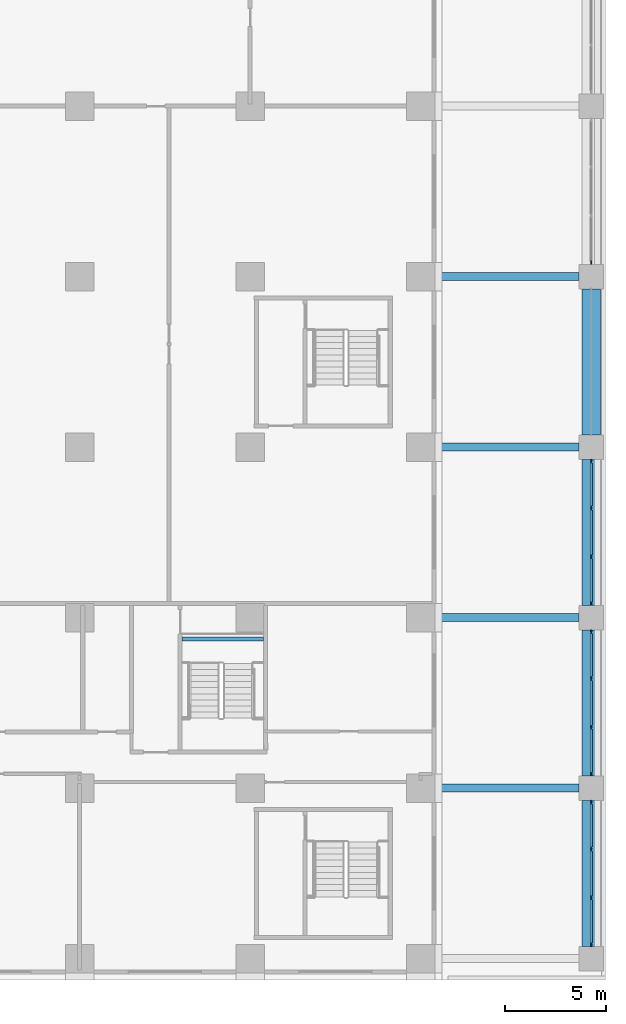
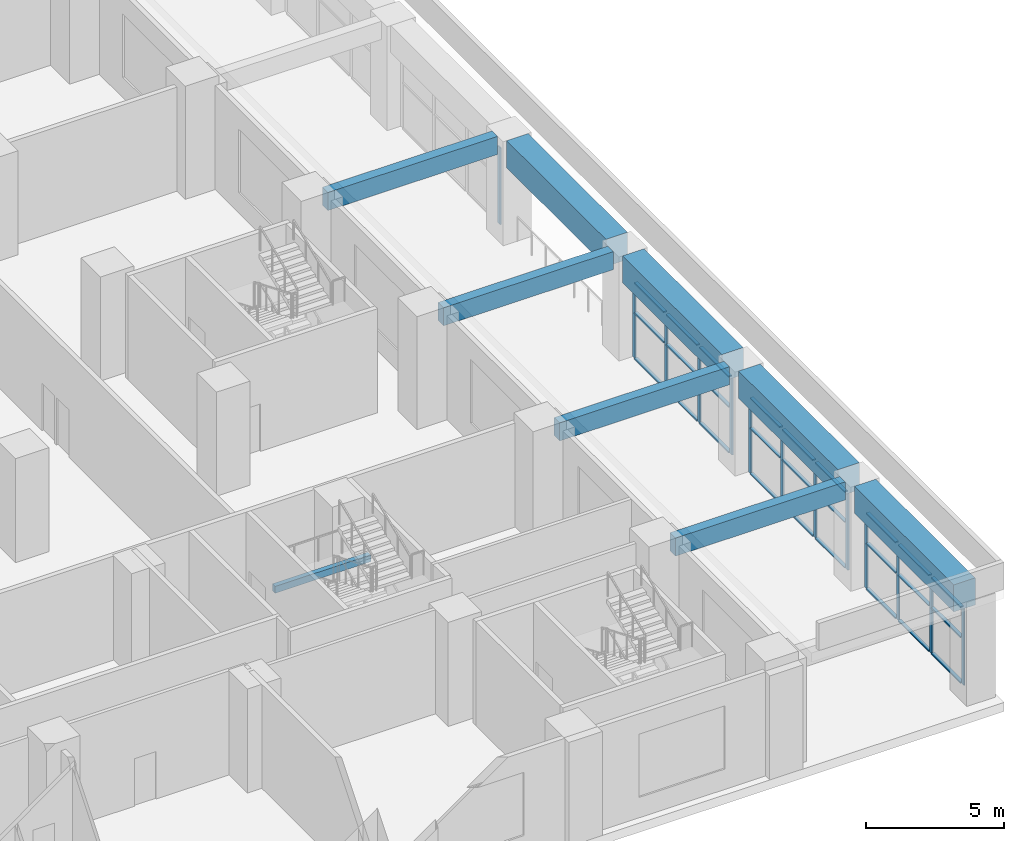
# One storey, part 2 of 29: 40 members, 9 beams, 4 elements without a shape of their own.
"""IFC4 building model written with IfcOpenShell, lengths in metres."""

from ifc_helpers import new_model, si_unit, direction, frame, origin, origin_2d, place, context, subcontext, project, spatial, rectangle, extrude, material, material_profile, profile_set, type_object, element, aggregate, save


model = new_model("IFC4")

# Units and contexts
model_context = context("Model", 3, precision=1e-05, world=origin(), true_north=direction((0.0, 1.0)))
body_context = subcontext(model_context, "Body", "Model", "MODEL_VIEW")
ifc_project = project(units=[si_unit("LENGTHUNIT", "METRE"), si_unit("AREAUNIT", "SQUARE_METRE"), si_unit("VOLUMEUNIT", "CUBIC_METRE"), si_unit("PLANEANGLEUNIT", "RADIAN"), si_unit("MASSUNIT", "GRAM", prefix="KILO")], contexts=[model_context])

# Site, building, storey
site_placement = place(None, origin())
site = spatial("IfcSite", under=ifc_project, at=site_placement, CompositionType="ELEMENT")
building_placement = place(site_placement, origin())
building = spatial("IfcBuilding", under=site, at=building_placement, Name="Vermilion Ogive Tower", CompositionType="ELEMENT")
storey_placement = place(building_placement, frame((0.0, 0.0, 7.5)))
storey = spatial("IfcBuildingStorey", under=building, at=storey_placement, Name="L01", CompositionType="ELEMENT", Elevation=7.5)

# Beams
ifc_material_1 = material(Name="Concrete B45", Category="concrete")
ifc_material_profile_1 = material_profile(ifc_material_1, rectangle(XDim=0.89990234375, YDim=1.199951171875, at=origin_2d()), Name="RC 900x1200")
ifc_profile_set_1 = profile_set([ifc_material_profile_1], Name="Concrete B45")
beam_type_1 = type_object("IfcBeamType", Name="Arcade edge beam AB1 900x1200", PredefinedType="BEAM", material=ifc_profile_set_1)
for number, where, z_axis, x_axis, name in (
    (1, (58.800048828125, -28.800048828125, 4.0), (0.0, 1.0, 0.0), (-1.0, 0.0, 0.0), "Arcade edge beam L01 01"),
    (2, (58.800048828125, -20.39990234375, 4.0), (0.0, 1.0, 0.0), (-1.0, 0.0, 0.0), "Arcade edge beam L01 02"),
    (3, (58.800048828125, -12.0, 4.0), (0.0, 1.0, 0.0), (-1.0, 0.0, 0.0), "Arcade edge beam L01 03"),
):
    element("IfcBeam", number, at=place(storey_placement, frame(where, z_axis=z_axis, x_axis=x_axis)), inside=storey, type_object=beam_type_1, Name=name, PredefinedType="BEAM", context=body_context, shape_type="SweptSolid", body=[
        extrude(rectangle(XDim=0.89990234375, YDim=1.199951171875, at=origin_2d()), origin(), (0.0, 0.0, 1.0), 7.199951171875),
    ])
beam_1_placement = place(storey_placement, frame((58.800048828125, -3.60009765625, 4.0), z_axis=(0.0, 1.0, 0.0), x_axis=(-1.0, 0.0, 0.0)))
element("IfcBeam", 4, at=beam_1_placement, inside=storey, type_object=beam_type_1, Name="Arcade edge beam L01 04", PredefinedType="BEAM", context=body_context, shape_type="SweptSolid", body=[
    extrude(rectangle(XDim=0.89990234375, YDim=1.199951171875, at=origin_2d()), origin(), (0.0, 0.0, 1.0), 7.2001953125),
])

# Curtain wall, members
ifc_material_2 = material(Name="Clear double glazing in aluminium frame", Category="aluminium")
curtain_wall_type = type_object("IfcCurtainWallType", Name="Curtain wall CW2", PredefinedType="NOTDEFINED", material=ifc_material_2)
curtain_wall_1_placement = place(storey_placement, origin())
curtain_wall_1 = element("IfcCurtainWall", 5, at=curtain_wall_1_placement, inside=storey, type_object=curtain_wall_type, Name="CW2 arcade glazing L01 1", PredefinedType="NOTDEFINED")
ifc_material_3 = material(Name="Aluminium mullion", Category="aluminium")
ifc_material_profile_2 = material_profile(ifc_material_3, rectangle(XDim=0.06005859375, YDim=0.179931640625, at=origin_2d()), Name="AL 60x180")
ifc_profile_set_2 = profile_set([ifc_material_profile_2], Name="Aluminium mullion")
member_type_1 = type_object("IfcMemberType", Name="CW2 mullion 60x180", PredefinedType="MULLION", material=ifc_profile_set_2)
member_1_placement = place(storey_placement, frame((58.800048828125, -28.7099609375, 0.0), z_axis=(0.0, 0.0, 1.0), x_axis=(-1.0, 0.0, 0.0)))
member_1 = element("IfcMember", 6, at=member_1_placement, type_object=member_type_1, Name="CW2-011 mullion 1", PredefinedType="MULLION", context=body_context, shape_type="SweptSolid", body=[
    extrude(rectangle(XDim=0.06005859375, YDim=0.179931640625, at=origin_2d()), origin(), (0.0, 0.0, 1.0), 3.39990234375),
])
member_2_placement = place(storey_placement, frame((58.800048828125, -26.39990234375, 0.0), z_axis=(0.0, 0.0, 1.0), x_axis=(-1.0, 0.0, 0.0)))
member_2 = element("IfcMember", 7, at=member_2_placement, type_object=member_type_1, Name="CW2-011 mullion 2", PredefinedType="MULLION", context=body_context, shape_type="SweptSolid", body=[
    extrude(rectangle(XDim=0.06005859375, YDim=0.179931640625, at=origin_2d()), origin(), (0.0, 0.0, 1.0), 3.39990234375),
])
member_3_placement = place(storey_placement, frame((58.800048828125, -24.0, 0.0), z_axis=(0.0, 0.0, 1.0), x_axis=(-1.0, 0.0, 0.0)))
member_3 = element("IfcMember", 8, at=member_3_placement, type_object=member_type_1, Name="CW2-011 mullion 3", PredefinedType="MULLION", context=body_context, shape_type="SweptSolid", body=[
    extrude(rectangle(XDim=0.06005859375, YDim=0.179931640625, at=origin_2d()), origin(), (0.0, 0.0, 1.0), 3.39990234375),
])
member_4_placement = place(storey_placement, frame((58.800048828125, -21.68994140625, 0.0), z_axis=(0.0, 0.0, 1.0), x_axis=(-1.0, 0.0, 0.0)))
member_4 = element("IfcMember", 9, at=member_4_placement, type_object=member_type_1, Name="CW2-011 mullion 4", PredefinedType="MULLION", context=body_context, shape_type="SweptSolid", body=[
    extrude(rectangle(XDim=0.06005859375, YDim=0.179931640625, at=origin_2d()), origin(), (0.0, 0.0, 1.0), 3.39990234375),
])

curtain_wall_2_placement = place(storey_placement, origin())
curtain_wall_2 = element("IfcCurtainWall", 10, at=curtain_wall_2_placement, inside=storey, type_object=curtain_wall_type, Name="CW2 arcade glazing L01 2", PredefinedType="NOTDEFINED")
member_5_placement = place(storey_placement, frame((58.800048828125, -20.31005859375, 0.0), z_axis=(0.0, 0.0, 1.0), x_axis=(-1.0, 0.0, 0.0)))
member_5 = element("IfcMember", 11, at=member_5_placement, type_object=member_type_1, Name="CW2-012 mullion 1", PredefinedType="MULLION", context=body_context, shape_type="SweptSolid", body=[
    extrude(rectangle(XDim=0.06005859375, YDim=0.179931640625, at=origin_2d()), origin(), (0.0, 0.0, 1.0), 3.39990234375),
])
member_6_placement = place(storey_placement, frame((58.800048828125, -18.0, 0.0), z_axis=(0.0, 0.0, 1.0), x_axis=(-1.0, 0.0, 0.0)))
member_6 = element("IfcMember", 12, at=member_6_placement, type_object=member_type_1, Name="CW2-012 mullion 2", PredefinedType="MULLION", context=body_context, shape_type="SweptSolid", body=[
    extrude(rectangle(XDim=0.06005859375, YDim=0.179931640625, at=origin_2d()), origin(), (0.0, 0.0, 1.0), 3.39990234375),
])
member_7_placement = place(storey_placement, frame((58.800048828125, -15.60009765625, 0.0), z_axis=(0.0, 0.0, 1.0), x_axis=(-1.0, 0.0, 0.0)))
member_7 = element("IfcMember", 13, at=member_7_placement, type_object=member_type_1, Name="CW2-012 mullion 3", PredefinedType="MULLION", context=body_context, shape_type="SweptSolid", body=[
    extrude(rectangle(XDim=0.06005859375, YDim=0.179931640625, at=origin_2d()), origin(), (0.0, 0.0, 1.0), 3.39990234375),
])
member_8_placement = place(storey_placement, frame((58.800048828125, -13.2900390625, 0.0), z_axis=(0.0, 0.0, 1.0), x_axis=(-1.0, 0.0, 0.0)))
member_8 = element("IfcMember", 14, at=member_8_placement, type_object=member_type_1, Name="CW2-012 mullion 4", PredefinedType="MULLION", context=body_context, shape_type="SweptSolid", body=[
    extrude(rectangle(XDim=0.06005859375, YDim=0.179931640625, at=origin_2d()), origin(), (0.0, 0.0, 1.0), 3.39990234375),
])

curtain_wall_3_placement = place(storey_placement, origin())
curtain_wall_3 = element("IfcCurtainWall", 15, at=curtain_wall_3_placement, inside=storey, type_object=curtain_wall_type, Name="CW2 arcade glazing L01 3", PredefinedType="NOTDEFINED")
member_9_placement = place(storey_placement, frame((58.800048828125, -11.909912109375, 0.0), z_axis=(0.0, 0.0, 1.0), x_axis=(-1.0, 0.0, 0.0)))
member_9 = element("IfcMember", 16, at=member_9_placement, type_object=member_type_1, Name="CW2-013 mullion 1", PredefinedType="MULLION", context=body_context, shape_type="SweptSolid", body=[
    extrude(rectangle(XDim=0.06005859375, YDim=0.179931640625, at=origin_2d()), origin(), (0.0, 0.0, 1.0), 3.39990234375),
])
member_10_placement = place(storey_placement, frame((58.800048828125, -9.60009765625, 0.0), z_axis=(0.0, 0.0, 1.0), x_axis=(-1.0, 0.0, 0.0)))
member_10 = element("IfcMember", 17, at=member_10_placement, type_object=member_type_1, Name="CW2-013 mullion 2", PredefinedType="MULLION", context=body_context, shape_type="SweptSolid", body=[
    extrude(rectangle(XDim=0.06005859375, YDim=0.179931640625, at=origin_2d()), origin(), (0.0, 0.0, 1.0), 3.39990234375),
])
member_11_placement = place(storey_placement, frame((58.800048828125, -7.199951171875, 0.0), z_axis=(0.0, 0.0, 1.0), x_axis=(-1.0, 0.0, 0.0)))
member_11 = element("IfcMember", 18, at=member_11_placement, type_object=member_type_1, Name="CW2-013 mullion 3", PredefinedType="MULLION", context=body_context, shape_type="SweptSolid", body=[
    extrude(rectangle(XDim=0.06005859375, YDim=0.179931640625, at=origin_2d()), origin(), (0.0, 0.0, 1.0), 3.39990234375),
])
member_12_placement = place(storey_placement, frame((58.800048828125, -4.889892578125, 0.0), z_axis=(0.0, 0.0, 1.0), x_axis=(-1.0, 0.0, 0.0)))
member_12 = element("IfcMember", 19, at=member_12_placement, type_object=member_type_1, Name="CW2-013 mullion 4", PredefinedType="MULLION", context=body_context, shape_type="SweptSolid", body=[
    extrude(rectangle(XDim=0.06005859375, YDim=0.179931640625, at=origin_2d()), origin(), (0.0, 0.0, 1.0), 3.39990234375),
])

# Curtain wall, member
curtain_wall_4_placement = place(storey_placement, origin())
curtain_wall_4 = element("IfcCurtainWall", 20, at=curtain_wall_4_placement, inside=storey, type_object=curtain_wall_type, Name="CW2 arcade glazing L01 5", PredefinedType="NOTDEFINED")
member_13_placement = place(storey_placement, frame((58.800048828125, 4.889892578125, 0.0), z_axis=(0.0, 0.0, 1.0), x_axis=(-1.0, 0.0, 0.0)))
member_13 = element("IfcMember", 21, at=member_13_placement, type_object=member_type_1, Name="CW2-015 mullion 1", PredefinedType="MULLION", context=body_context, shape_type="SweptSolid", body=[
    extrude(rectangle(XDim=0.06005859375, YDim=0.179931640625, at=origin_2d()), origin(), (0.0, 0.0, 1.0), 3.39990234375),
])
aggregate(curtain_wall_4, [member_13])

# Member
ifc_material_4 = material(Name="Aluminium transom", Category="aluminium")
ifc_material_profile_3 = material_profile(ifc_material_4, rectangle(XDim=0.139892578125, YDim=0.06005859375, at=origin_2d()), Name="AL 60x140")
ifc_profile_set_3 = profile_set([ifc_material_profile_3], Name="Aluminium transom")
member_type_2 = type_object("IfcMemberType", Name="CW2 transom 60x140", PredefinedType="USERDEFINED", material=ifc_profile_set_3)
member_14_placement = place(storey_placement, frame((58.800048828125, -28.6201171875, 0.030029296875), z_axis=(0.0, 1.0, 0.0), x_axis=(-1.0, 0.0, 0.0)))
member_14 = element("IfcMember", 22, at=member_14_placement, type_object=member_type_2, Name="CW2-011 transom 1.1", ObjectType="TRANSOM", PredefinedType="USERDEFINED", context=body_context, shape_type="SweptSolid", body=[
    extrude(rectangle(XDim=0.139892578125, YDim=0.06005859375, at=origin_2d()), origin(), (0.0, 0.0, 1.0), 2.130126953125),
])

member_15_placement = place(storey_placement, frame((58.800048828125, -28.6201171875, 2.0400390625), z_axis=(0.0, 1.0, 0.0), x_axis=(-1.0, 0.0, 0.0)))
member_15 = element("IfcMember", 23, at=member_15_placement, type_object=member_type_2, Name="CW2-011 transom 1.2", ObjectType="TRANSOM", PredefinedType="USERDEFINED", context=body_context, shape_type="SweptSolid", body=[
    extrude(rectangle(XDim=0.139892578125, YDim=0.06005859375, at=origin_2d()), origin(), (0.0, 0.0, 1.0), 2.130126953125),
])

member_16_placement = place(storey_placement, frame((58.800048828125, -28.6201171875, 3.3701171875), z_axis=(0.0, 1.0, 0.0), x_axis=(-1.0, 0.0, 0.0)))
member_16 = element("IfcMember", 24, at=member_16_placement, type_object=member_type_2, Name="CW2-011 transom 1.3", ObjectType="TRANSOM", PredefinedType="USERDEFINED", context=body_context, shape_type="SweptSolid", body=[
    extrude(rectangle(XDim=0.139892578125, YDim=0.06005859375, at=origin_2d()), origin(), (0.0, 0.0, 1.0), 2.130126953125),
])

member_17_placement = place(storey_placement, frame((58.800048828125, -26.31005859375, 0.030029296875), z_axis=(0.0, 1.0, 0.0), x_axis=(-1.0, 0.0, 0.0)))
member_17 = element("IfcMember", 25, at=member_17_placement, type_object=member_type_2, Name="CW2-011 transom 2.1", ObjectType="TRANSOM", PredefinedType="USERDEFINED", context=body_context, shape_type="SweptSolid", body=[
    extrude(rectangle(XDim=0.139892578125, YDim=0.06005859375, at=origin_2d()), origin(), (0.0, 0.0, 1.0), 2.219970703125),
])

member_18_placement = place(storey_placement, frame((58.800048828125, -26.31005859375, 2.0400390625), z_axis=(0.0, 1.0, 0.0), x_axis=(-1.0, 0.0, 0.0)))
member_18 = element("IfcMember", 26, at=member_18_placement, type_object=member_type_2, Name="CW2-011 transom 2.2", ObjectType="TRANSOM", PredefinedType="USERDEFINED", context=body_context, shape_type="SweptSolid", body=[
    extrude(rectangle(XDim=0.139892578125, YDim=0.06005859375, at=origin_2d()), origin(), (0.0, 0.0, 1.0), 2.219970703125),
])

member_19_placement = place(storey_placement, frame((58.800048828125, -26.31005859375, 3.3701171875), z_axis=(0.0, 1.0, 0.0), x_axis=(-1.0, 0.0, 0.0)))
member_19 = element("IfcMember", 27, at=member_19_placement, type_object=member_type_2, Name="CW2-011 transom 2.3", ObjectType="TRANSOM", PredefinedType="USERDEFINED", context=body_context, shape_type="SweptSolid", body=[
    extrude(rectangle(XDim=0.139892578125, YDim=0.06005859375, at=origin_2d()), origin(), (0.0, 0.0, 1.0), 2.219970703125),
])

member_20_placement = place(storey_placement, frame((58.800048828125, -23.909912109375, 0.030029296875), z_axis=(0.0, 1.0, 0.0), x_axis=(-1.0, 0.0, 0.0)))
member_20 = element("IfcMember", 28, at=member_20_placement, type_object=member_type_2, Name="CW2-011 transom 3.1", ObjectType="TRANSOM", PredefinedType="USERDEFINED", context=body_context, shape_type="SweptSolid", body=[
    extrude(rectangle(XDim=0.139892578125, YDim=0.06005859375, at=origin_2d()), origin(), (0.0, 0.0, 1.0), 2.1298828125),
])

member_21_placement = place(storey_placement, frame((58.800048828125, -23.909912109375, 2.0400390625), z_axis=(0.0, 1.0, 0.0), x_axis=(-1.0, 0.0, 0.0)))
member_21 = element("IfcMember", 29, at=member_21_placement, type_object=member_type_2, Name="CW2-011 transom 3.2", ObjectType="TRANSOM", PredefinedType="USERDEFINED", context=body_context, shape_type="SweptSolid", body=[
    extrude(rectangle(XDim=0.139892578125, YDim=0.06005859375, at=origin_2d()), origin(), (0.0, 0.0, 1.0), 2.1298828125),
])

member_22_placement = place(storey_placement, frame((58.800048828125, -23.909912109375, 3.3701171875), z_axis=(0.0, 1.0, 0.0), x_axis=(-1.0, 0.0, 0.0)))
member_22 = element("IfcMember", 30, at=member_22_placement, type_object=member_type_2, Name="CW2-011 transom 3.3", ObjectType="TRANSOM", PredefinedType="USERDEFINED", context=body_context, shape_type="SweptSolid", body=[
    extrude(rectangle(XDim=0.139892578125, YDim=0.06005859375, at=origin_2d()), origin(), (0.0, 0.0, 1.0), 2.1298828125),
])

aggregate(curtain_wall_1, [member_1, member_2, member_3, member_4, member_14, member_15, member_16, member_17, member_18, member_19, member_20, member_21, member_22])

member_23_placement = place(storey_placement, frame((58.800048828125, -20.219970703125, 0.030029296875), z_axis=(0.0, 1.0, 0.0), x_axis=(-1.0, 0.0, 0.0)))
member_23 = element("IfcMember", 31, at=member_23_placement, type_object=member_type_2, Name="CW2-012 transom 1.1", ObjectType="TRANSOM", PredefinedType="USERDEFINED", context=body_context, shape_type="SweptSolid", body=[
    extrude(rectangle(XDim=0.139892578125, YDim=0.06005859375, at=origin_2d()), origin(), (0.0, 0.0, 1.0), 2.1298828125),
])

member_24_placement = place(storey_placement, frame((58.800048828125, -20.219970703125, 2.0400390625), z_axis=(0.0, 1.0, 0.0), x_axis=(-1.0, 0.0, 0.0)))
member_24 = element("IfcMember", 32, at=member_24_placement, type_object=member_type_2, Name="CW2-012 transom 1.2", ObjectType="TRANSOM", PredefinedType="USERDEFINED", context=body_context, shape_type="SweptSolid", body=[
    extrude(rectangle(XDim=0.139892578125, YDim=0.06005859375, at=origin_2d()), origin(), (0.0, 0.0, 1.0), 2.1298828125),
])

member_25_placement = place(storey_placement, frame((58.800048828125, -20.219970703125, 3.3701171875), z_axis=(0.0, 1.0, 0.0), x_axis=(-1.0, 0.0, 0.0)))
member_25 = element("IfcMember", 33, at=member_25_placement, type_object=member_type_2, Name="CW2-012 transom 1.3", ObjectType="TRANSOM", PredefinedType="USERDEFINED", context=body_context, shape_type="SweptSolid", body=[
    extrude(rectangle(XDim=0.139892578125, YDim=0.06005859375, at=origin_2d()), origin(), (0.0, 0.0, 1.0), 2.1298828125),
])

member_26_placement = place(storey_placement, frame((58.800048828125, -17.909912109375, 0.030029296875), z_axis=(0.0, 1.0, 0.0), x_axis=(-1.0, 0.0, 0.0)))
member_26 = element("IfcMember", 34, at=member_26_placement, type_object=member_type_2, Name="CW2-012 transom 2.1", ObjectType="TRANSOM", PredefinedType="USERDEFINED", context=body_context, shape_type="SweptSolid", body=[
    extrude(rectangle(XDim=0.139892578125, YDim=0.06005859375, at=origin_2d()), origin(), (0.0, 0.0, 1.0), 2.219970703125),
])

member_27_placement = place(storey_placement, frame((58.800048828125, -17.909912109375, 2.0400390625), z_axis=(0.0, 1.0, 0.0), x_axis=(-1.0, 0.0, 0.0)))
member_27 = element("IfcMember", 35, at=member_27_placement, type_object=member_type_2, Name="CW2-012 transom 2.2", ObjectType="TRANSOM", PredefinedType="USERDEFINED", context=body_context, shape_type="SweptSolid", body=[
    extrude(rectangle(XDim=0.139892578125, YDim=0.06005859375, at=origin_2d()), origin(), (0.0, 0.0, 1.0), 2.219970703125),
])

member_28_placement = place(storey_placement, frame((58.800048828125, -17.909912109375, 3.3701171875), z_axis=(0.0, 1.0, 0.0), x_axis=(-1.0, 0.0, 0.0)))
member_28 = element("IfcMember", 36, at=member_28_placement, type_object=member_type_2, Name="CW2-012 transom 2.3", ObjectType="TRANSOM", PredefinedType="USERDEFINED", context=body_context, shape_type="SweptSolid", body=[
    extrude(rectangle(XDim=0.139892578125, YDim=0.06005859375, at=origin_2d()), origin(), (0.0, 0.0, 1.0), 2.219970703125),
])

member_29_placement = place(storey_placement, frame((58.800048828125, -15.510009765625, 0.030029296875), z_axis=(0.0, 1.0, 0.0), x_axis=(-1.0, 0.0, 0.0)))
member_29 = element("IfcMember", 37, at=member_29_placement, type_object=member_type_2, Name="CW2-012 transom 3.1", ObjectType="TRANSOM", PredefinedType="USERDEFINED", context=body_context, shape_type="SweptSolid", body=[
    extrude(rectangle(XDim=0.139892578125, YDim=0.06005859375, at=origin_2d()), origin(), (0.0, 0.0, 1.0), 2.130126953125),
])

member_30_placement = place(storey_placement, frame((58.800048828125, -15.510009765625, 2.0400390625), z_axis=(0.0, 1.0, 0.0), x_axis=(-1.0, 0.0, 0.0)))
member_30 = element("IfcMember", 38, at=member_30_placement, type_object=member_type_2, Name="CW2-012 transom 3.2", ObjectType="TRANSOM", PredefinedType="USERDEFINED", context=body_context, shape_type="SweptSolid", body=[
    extrude(rectangle(XDim=0.139892578125, YDim=0.06005859375, at=origin_2d()), origin(), (0.0, 0.0, 1.0), 2.130126953125),
])

member_31_placement = place(storey_placement, frame((58.800048828125, -15.510009765625, 3.3701171875), z_axis=(0.0, 1.0, 0.0), x_axis=(-1.0, 0.0, 0.0)))
member_31 = element("IfcMember", 39, at=member_31_placement, type_object=member_type_2, Name="CW2-012 transom 3.3", ObjectType="TRANSOM", PredefinedType="USERDEFINED", context=body_context, shape_type="SweptSolid", body=[
    extrude(rectangle(XDim=0.139892578125, YDim=0.06005859375, at=origin_2d()), origin(), (0.0, 0.0, 1.0), 2.130126953125),
])

aggregate(curtain_wall_2, [member_5, member_6, member_7, member_8, member_23, member_24, member_25, member_26, member_27, member_28, member_29, member_30, member_31])

member_32_placement = place(storey_placement, frame((58.800048828125, -11.820068359375, 0.030029296875), z_axis=(0.0, 1.0, 0.0), x_axis=(-1.0, 0.0, 0.0)))
member_32 = element("IfcMember", 40, at=member_32_placement, type_object=member_type_2, Name="CW2-013 transom 1.1", ObjectType="TRANSOM", PredefinedType="USERDEFINED", context=body_context, shape_type="SweptSolid", body=[
    extrude(rectangle(XDim=0.139892578125, YDim=0.06005859375, at=origin_2d()), origin(), (0.0, 0.0, 1.0), 2.130126953125),
])

member_33_placement = place(storey_placement, frame((58.800048828125, -11.820068359375, 2.0400390625), z_axis=(0.0, 1.0, 0.0), x_axis=(-1.0, 0.0, 0.0)))
member_33 = element("IfcMember", 41, at=member_33_placement, type_object=member_type_2, Name="CW2-013 transom 1.2", ObjectType="TRANSOM", PredefinedType="USERDEFINED", context=body_context, shape_type="SweptSolid", body=[
    extrude(rectangle(XDim=0.139892578125, YDim=0.06005859375, at=origin_2d()), origin(), (0.0, 0.0, 1.0), 2.130126953125),
])

member_34_placement = place(storey_placement, frame((58.800048828125, -11.820068359375, 3.3701171875), z_axis=(0.0, 1.0, 0.0), x_axis=(-1.0, 0.0, 0.0)))
member_34 = element("IfcMember", 42, at=member_34_placement, type_object=member_type_2, Name="CW2-013 transom 1.3", ObjectType="TRANSOM", PredefinedType="USERDEFINED", context=body_context, shape_type="SweptSolid", body=[
    extrude(rectangle(XDim=0.139892578125, YDim=0.06005859375, at=origin_2d()), origin(), (0.0, 0.0, 1.0), 2.130126953125),
])

member_35_placement = place(storey_placement, frame((58.800048828125, -9.510009765625, 0.030029296875), z_axis=(0.0, 1.0, 0.0), x_axis=(-1.0, 0.0, 0.0)))
member_35 = element("IfcMember", 43, at=member_35_placement, type_object=member_type_2, Name="CW2-013 transom 2.1", ObjectType="TRANSOM", PredefinedType="USERDEFINED", context=body_context, shape_type="SweptSolid", body=[
    extrude(rectangle(XDim=0.139892578125, YDim=0.06005859375, at=origin_2d()), origin(), (0.0, 0.0, 1.0), 2.219970703125),
])

member_36_placement = place(storey_placement, frame((58.800048828125, -9.510009765625, 2.0400390625), z_axis=(0.0, 1.0, 0.0), x_axis=(-1.0, 0.0, 0.0)))
member_36 = element("IfcMember", 44, at=member_36_placement, type_object=member_type_2, Name="CW2-013 transom 2.2", ObjectType="TRANSOM", PredefinedType="USERDEFINED", context=body_context, shape_type="SweptSolid", body=[
    extrude(rectangle(XDim=0.139892578125, YDim=0.06005859375, at=origin_2d()), origin(), (0.0, 0.0, 1.0), 2.219970703125),
])

member_37_placement = place(storey_placement, frame((58.800048828125, -9.510009765625, 3.3701171875), z_axis=(0.0, 1.0, 0.0), x_axis=(-1.0, 0.0, 0.0)))
member_37 = element("IfcMember", 45, at=member_37_placement, type_object=member_type_2, Name="CW2-013 transom 2.3", ObjectType="TRANSOM", PredefinedType="USERDEFINED", context=body_context, shape_type="SweptSolid", body=[
    extrude(rectangle(XDim=0.139892578125, YDim=0.06005859375, at=origin_2d()), origin(), (0.0, 0.0, 1.0), 2.219970703125),
])

member_38_placement = place(storey_placement, frame((58.800048828125, -7.110107421875, 0.030029296875), z_axis=(0.0, 1.0, 0.0), x_axis=(-1.0, 0.0, 0.0)))
member_38 = element("IfcMember", 46, at=member_38_placement, type_object=member_type_2, Name="CW2-013 transom 3.1", ObjectType="TRANSOM", PredefinedType="USERDEFINED", context=body_context, shape_type="SweptSolid", body=[
    extrude(rectangle(XDim=0.139892578125, YDim=0.06005859375, at=origin_2d()), origin(), (0.0, 0.0, 1.0), 2.130126953125),
])

member_39_placement = place(storey_placement, frame((58.800048828125, -7.110107421875, 2.0400390625), z_axis=(0.0, 1.0, 0.0), x_axis=(-1.0, 0.0, 0.0)))
member_39 = element("IfcMember", 47, at=member_39_placement, type_object=member_type_2, Name="CW2-013 transom 3.2", ObjectType="TRANSOM", PredefinedType="USERDEFINED", context=body_context, shape_type="SweptSolid", body=[
    extrude(rectangle(XDim=0.139892578125, YDim=0.06005859375, at=origin_2d()), origin(), (0.0, 0.0, 1.0), 2.130126953125),
])

member_40_placement = place(storey_placement, frame((58.800048828125, -7.110107421875, 3.3701171875), z_axis=(0.0, 1.0, 0.0), x_axis=(-1.0, 0.0, 0.0)))
member_40 = element("IfcMember", 48, at=member_40_placement, type_object=member_type_2, Name="CW2-013 transom 3.3", ObjectType="TRANSOM", PredefinedType="USERDEFINED", context=body_context, shape_type="SweptSolid", body=[
    extrude(rectangle(XDim=0.139892578125, YDim=0.06005859375, at=origin_2d()), origin(), (0.0, 0.0, 1.0), 2.130126953125),
])

aggregate(curtain_wall_3, [member_9, member_10, member_11, member_12, member_32, member_33, member_34, member_35, member_36, member_37, member_38, member_39, member_40])

# Beams
ifc_material_5 = material(Name="Concrete B45", Category="concrete")
ifc_material_profile_4 = material_profile(ifc_material_5, rectangle(XDim=0.199951171875, YDim=0.300048828125, at=origin_2d()), Name="RC 200x300")
ifc_profile_set_4 = profile_set([ifc_material_profile_4], Name="Concrete B45")
beam_type_2 = type_object("IfcBeamType", Name="Stair landing edge beam LB1 200x300", PredefinedType="BEAM", material=ifc_profile_set_4)
beam_2_placement = place(storey_placement, frame((38.650146484375, -13.64990234375, 2.14990234375), z_axis=(1.0, 0.0, 0.0), x_axis=(0.0, 1.0, 0.0)))
element("IfcBeam", 49, at=beam_2_placement, inside=storey, type_object=beam_type_2, Name="L01 stair landing edge beam", PredefinedType="BEAM", context=body_context, shape_type="SweptSolid", body=[
    extrude(rectangle(XDim=0.199951171875, YDim=0.300048828125, at=origin_2d()), origin(), (0.0, 0.0, 1.0), 3.999755859375),
])
ifc_material_6 = material(Name="Concrete B45", Category="concrete")
ifc_material_profile_5 = material_profile(ifc_material_6, rectangle(XDim=0.39990234375, YDim=0.800048828125, at=origin_2d()), Name="RC 400x800")
ifc_profile_set_5 = profile_set([ifc_material_profile_5], Name="Concrete B45")
beam_type_3 = type_object("IfcBeamType", Name="Terrace roof beam TB1 400x800", PredefinedType="BEAM", material=ifc_profile_set_5)
for number, where, z_axis, x_axis, name in (
    (50, (58.199951171875, -21.0, 4.199951171875), (-1.0, 0.0, 0.0), (0.0, -1.0, 0.0), "Terrace roof beam L01 1-2"),
    (51, (58.199951171875, -12.60009765625, 4.199951171875), (-1.0, 0.0, 0.0), (0.0, -1.0, 0.0), "Terrace roof beam L01 1-3"),
    (52, (58.199951171875, -4.199951171875, 4.199951171875), (-1.0, 0.0, 0.0), (0.0, -1.0, 0.0), "Terrace roof beam L01 1-4"),
    (53, (58.199951171875, 4.199951171875, 4.199951171875), (-1.0, 0.0, 0.0), (0.0, -1.0, 0.0), "Terrace roof beam L01 1-5"),
):
    element("IfcBeam", number, at=place(storey_placement, frame(where, z_axis=z_axis, x_axis=x_axis)), inside=storey, type_object=beam_type_3, Name=name, PredefinedType="BEAM", context=body_context, shape_type="SweptSolid", body=[
        extrude(rectangle(XDim=0.39990234375, YDim=0.800048828125, at=origin_2d()), origin(), (0.0, 0.0, 1.0), 7.099853515625),
    ])

save(model, "model.ifc")
